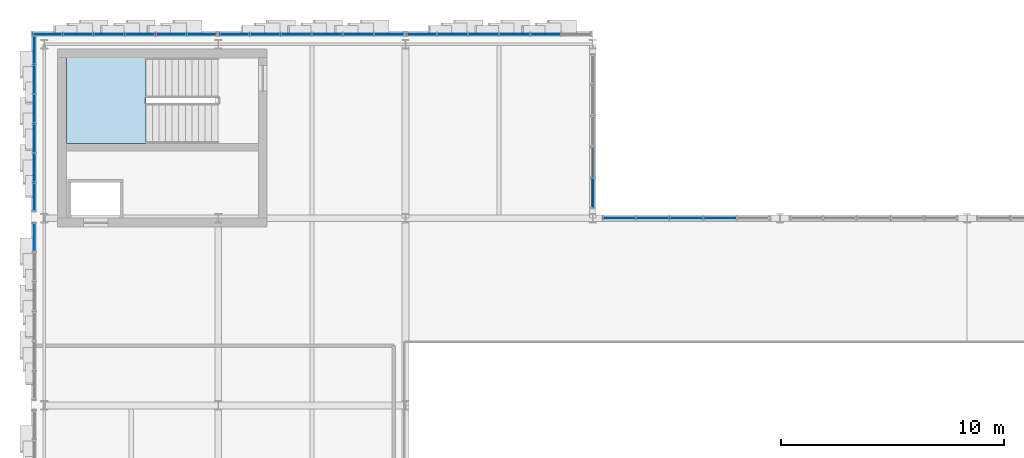
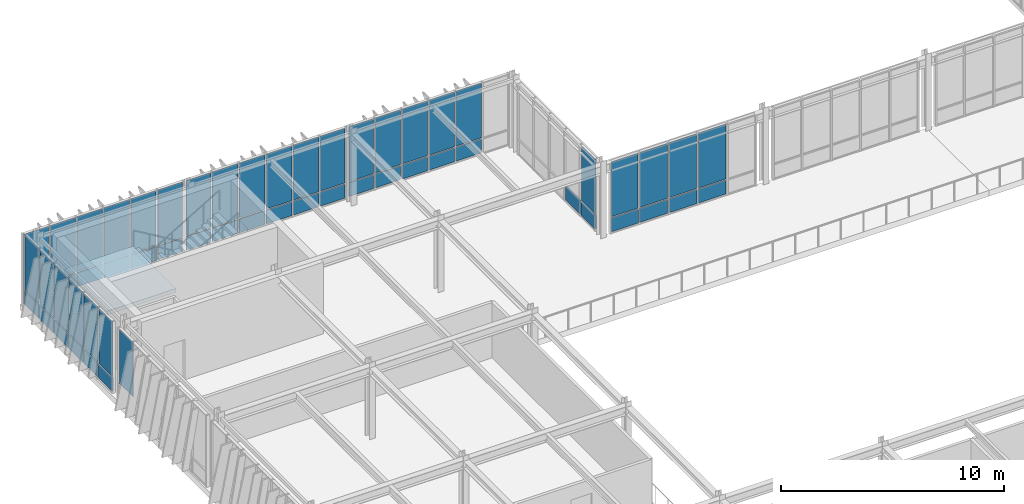
# One storey, part 88 of 127: 58 plates, 1 slab, 8 elements without a shape of their own.
"""IFC4 building model written with IfcOpenShell, lengths in metres."""

from ifc_helpers import new_model, si_unit, direction, frame, origin, origin_2d, place, context, subcontext, project, spatial, polyline, rectangle, outline, extrude, material, layer, layer_set, type_object, element, aggregate, save


model = new_model("IFC4")

# Units and contexts
model_context = context("Model", 3, precision=1e-05, world=origin(), true_north=direction((0.0, 1.0)))
body_context = subcontext(model_context, "Body", "Model", "MODEL_VIEW")
ifc_project = project(units=[si_unit("LENGTHUNIT", "METRE"), si_unit("AREAUNIT", "SQUARE_METRE"), si_unit("VOLUMEUNIT", "CUBIC_METRE"), si_unit("PLANEANGLEUNIT", "RADIAN"), si_unit("MASSUNIT", "GRAM", prefix="KILO")], contexts=[model_context])

# Site, building, storey
site_placement = place(None, origin())
site = spatial("IfcSite", under=ifc_project, at=site_placement, CompositionType="ELEMENT")
building_placement = place(site_placement, origin())
building = spatial("IfcBuilding", under=site, at=building_placement, Name="Zayran Congress Hotel", CompositionType="ELEMENT")
storey_placement = place(building_placement, frame((0.0, 0.0, 10.800048828125)))
storey = spatial("IfcBuildingStorey", under=building, at=storey_placement, Name="L02", CompositionType="ELEMENT", Elevation=10.800048828125)

# Curtain wall, plates
ifc_material_1 = material(Name="Anodised aluminium and low-E insulated glass", Category="aluminium")
ifc_layer_1 = layer(ifc_material_1, 0.179931640625)
ifc_layer_set_1 = layer_set([ifc_layer_1], Name="Anodised aluminium and low-E insulated glass")
curtain_wall_type_1 = type_object("IfcCurtainWallType", Name="CW-V1N-L02-CW-21-8360-3920", PredefinedType="USERDEFINED", material=ifc_layer_set_1)
curtain_wall_1_placement = place(storey_placement, origin())
curtain_wall_1 = element("IfcCurtainWall", 1, at=curtain_wall_1_placement, inside=storey, type_object=curtain_wall_type_1, Name="CW-V1N-L02-0", ObjectType="CURTAIN WALL", PredefinedType="USERDEFINED")
ifc_material_2 = material(Name="Insulated warm bronze aluminium spandrel panel", Category="aluminium")
ifc_layer_2 = layer(ifc_material_2, 0.06005859375)
ifc_layer_set_2 = layer_set([ifc_layer_2], Name="Insulated warm bronze aluminium spandrel panel")
plate_type_1 = type_object("IfcPlateType", Name="CWP-SP-1273-750", PredefinedType="CURTAIN_PANEL", material=ifc_layer_set_2)
plate_1_placement = place(storey_placement, frame((16.063232421875, 117.85009765625, 0.06005859375), z_axis=(0.0, 0.0, 1.0), x_axis=(1.0, 0.0, 0.0)))
plate_1 = element("IfcPlate", 2, at=plate_1_placement, type_object=plate_type_1, Name="CW-21 Spandrel Panel 1", PredefinedType="CURTAIN_PANEL", context=body_context, shape_type="SweptSolid", body=[
    extrude(rectangle(XDim=1.273193359375, YDim=0.06005859375, at=origin_2d()), origin(), (0.0, 0.0, 1.0), 0.75),
])
plate_2_placement = place(storey_placement, frame((14.68994140625, 117.85009765625, 0.06005859375), z_axis=(0.0, 0.0, 1.0), x_axis=(1.0, 0.0, 0.0)))
plate_2 = element("IfcPlate", 3, at=plate_2_placement, type_object=plate_type_1, Name="CW-21 Spandrel Panel 2", PredefinedType="CURTAIN_PANEL", context=body_context, shape_type="SweptSolid", body=[
    extrude(rectangle(XDim=1.313232421875, YDim=0.06005859375, at=origin_2d()), origin(), (0.0, 0.0, 1.0), 0.75),
])
plate_3_placement = place(storey_placement, frame((13.296630859375, 117.85009765625, 0.06005859375), z_axis=(0.0, 0.0, 1.0), x_axis=(1.0, 0.0, 0.0)))
plate_3 = element("IfcPlate", 4, at=plate_3_placement, type_object=plate_type_1, Name="CW-21 Spandrel Panel 3", PredefinedType="CURTAIN_PANEL", context=body_context, shape_type="SweptSolid", body=[
    extrude(rectangle(XDim=1.313232421875, YDim=0.06005859375, at=origin_2d()), origin(), (0.0, 0.0, 1.0), 0.75),
])
plate_4_placement = place(storey_placement, frame((11.9033203125, 117.85009765625, 0.06005859375), z_axis=(0.0, 0.0, 1.0), x_axis=(1.0, 0.0, 0.0)))
plate_4 = element("IfcPlate", 5, at=plate_4_placement, type_object=plate_type_1, Name="CW-21 Spandrel Panel 4", PredefinedType="CURTAIN_PANEL", context=body_context, shape_type="SweptSolid", body=[
    extrude(rectangle(XDim=1.313232421875, YDim=0.06005859375, at=origin_2d()), origin(), (0.0, 0.0, 1.0), 0.75),
])
plate_5_placement = place(storey_placement, frame((10.510009765625, 117.85009765625, 0.06005859375), z_axis=(0.0, 0.0, 1.0), x_axis=(1.0, 0.0, 0.0)))
plate_5 = element("IfcPlate", 6, at=plate_5_placement, type_object=plate_type_1, Name="CW-21 Spandrel Panel 5", PredefinedType="CURTAIN_PANEL", context=body_context, shape_type="SweptSolid", body=[
    extrude(rectangle(XDim=1.313232421875, YDim=0.06005859375, at=origin_2d()), origin(), (0.0, 0.0, 1.0), 0.75),
])
plate_6_placement = place(storey_placement, frame((9.13671875, 117.85009765625, 0.06005859375), z_axis=(0.0, 0.0, 1.0), x_axis=(1.0, 0.0, 0.0)))
plate_6 = element("IfcPlate", 7, at=plate_6_placement, type_object=plate_type_1, Name="CW-21 Spandrel Panel 6", PredefinedType="CURTAIN_PANEL", context=body_context, shape_type="SweptSolid", body=[
    extrude(rectangle(XDim=1.273193359375, YDim=0.06005859375, at=origin_2d()), origin(), (0.0, 0.0, 1.0), 0.75),
])

ifc_layer_3 = layer(ifc_material_1, 0.179931640625)
ifc_layer_set_3 = layer_set([ifc_layer_3], Name="Anodised aluminium and low-E insulated glass")
curtain_wall_type_2 = type_object("IfcCurtainWallType", Name="CW-V1N-L02-CW-22-8360-3920", PredefinedType="USERDEFINED", material=ifc_layer_set_3)
curtain_wall_2_placement = place(storey_placement, origin())
curtain_wall_2 = element("IfcCurtainWall", 8, at=curtain_wall_2_placement, inside=storey, type_object=curtain_wall_type_2, Name="CW-V1N-L02-1", ObjectType="CURTAIN WALL", PredefinedType="USERDEFINED")
plate_7_placement = place(storey_placement, frame((24.46337890625, 117.85009765625, 0.06005859375), z_axis=(0.0, 0.0, 1.0), x_axis=(1.0, 0.0, 0.0)))
plate_7 = element("IfcPlate", 9, at=plate_7_placement, type_object=plate_type_1, Name="CW-22 Spandrel Panel 1", PredefinedType="CURTAIN_PANEL", context=body_context, shape_type="SweptSolid", body=[
    extrude(rectangle(XDim=1.273193359375, YDim=0.06005859375, at=origin_2d()), origin(), (0.0, 0.0, 1.0), 0.75),
])
plate_8_placement = place(storey_placement, frame((23.090087890625, 117.85009765625, 0.06005859375), z_axis=(0.0, 0.0, 1.0), x_axis=(1.0, 0.0, 0.0)))
plate_8 = element("IfcPlate", 10, at=plate_8_placement, type_object=plate_type_1, Name="CW-22 Spandrel Panel 2", PredefinedType="CURTAIN_PANEL", context=body_context, shape_type="SweptSolid", body=[
    extrude(rectangle(XDim=1.313232421875, YDim=0.06005859375, at=origin_2d()), origin(), (0.0, 0.0, 1.0), 0.75),
])
plate_9_placement = place(storey_placement, frame((21.69677734375, 117.85009765625, 0.06005859375), z_axis=(0.0, 0.0, 1.0), x_axis=(1.0, 0.0, 0.0)))
plate_9 = element("IfcPlate", 11, at=plate_9_placement, type_object=plate_type_1, Name="CW-22 Spandrel Panel 3", PredefinedType="CURTAIN_PANEL", context=body_context, shape_type="SweptSolid", body=[
    extrude(rectangle(XDim=1.313232421875, YDim=0.06005859375, at=origin_2d()), origin(), (0.0, 0.0, 1.0), 0.75),
])
plate_10_placement = place(storey_placement, frame((20.30322265625, 117.85009765625, 0.06005859375), z_axis=(0.0, 0.0, 1.0), x_axis=(1.0, 0.0, 0.0)))
plate_10 = element("IfcPlate", 12, at=plate_10_placement, type_object=plate_type_1, Name="CW-22 Spandrel Panel 4", PredefinedType="CURTAIN_PANEL", context=body_context, shape_type="SweptSolid", body=[
    extrude(rectangle(XDim=1.313232421875, YDim=0.06005859375, at=origin_2d()), origin(), (0.0, 0.0, 1.0), 0.75),
])
plate_11_placement = place(storey_placement, frame((18.909912109375, 117.85009765625, 0.06005859375), z_axis=(0.0, 0.0, 1.0), x_axis=(1.0, 0.0, 0.0)))
plate_11 = element("IfcPlate", 13, at=plate_11_placement, type_object=plate_type_1, Name="CW-22 Spandrel Panel 5", PredefinedType="CURTAIN_PANEL", context=body_context, shape_type="SweptSolid", body=[
    extrude(rectangle(XDim=1.313232421875, YDim=0.06005859375, at=origin_2d()), origin(), (0.0, 0.0, 1.0), 0.75),
])
plate_12_placement = place(storey_placement, frame((17.53662109375, 117.85009765625, 0.06005859375), z_axis=(0.0, 0.0, 1.0), x_axis=(1.0, 0.0, 0.0)))
plate_12 = element("IfcPlate", 14, at=plate_12_placement, type_object=plate_type_1, Name="CW-22 Spandrel Panel 6", PredefinedType="CURTAIN_PANEL", context=body_context, shape_type="SweptSolid", body=[
    extrude(rectangle(XDim=1.273193359375, YDim=0.06005859375, at=origin_2d()), origin(), (0.0, 0.0, 1.0), 0.75),
])

ifc_layer_4 = layer(ifc_material_1, 0.179931640625)
ifc_layer_set_4 = layer_set([ifc_layer_4], Name="Anodised aluminium and low-E insulated glass")
curtain_wall_type_3 = type_object("IfcCurtainWallType", Name="CW-V1N-L02-CW-23-8360-3920", PredefinedType="USERDEFINED", material=ifc_layer_set_4)
curtain_wall_3_placement = place(storey_placement, origin())
curtain_wall_3 = element("IfcCurtainWall", 15, at=curtain_wall_3_placement, inside=storey, type_object=curtain_wall_type_3, Name="CW-V1N-L02-2", ObjectType="CURTAIN WALL", PredefinedType="USERDEFINED")
plate_13_placement = place(storey_placement, frame((31.489990234375, 117.85009765625, 0.06005859375), z_axis=(0.0, 0.0, 1.0), x_axis=(1.0, 0.0, 0.0)))
plate_13 = element("IfcPlate", 16, at=plate_13_placement, type_object=plate_type_1, Name="CW-23 Spandrel Panel 2", PredefinedType="CURTAIN_PANEL", context=body_context, shape_type="SweptSolid", body=[
    extrude(rectangle(XDim=1.313232421875, YDim=0.06005859375, at=origin_2d()), origin(), (0.0, 0.0, 1.0), 0.75),
])
plate_14_placement = place(storey_placement, frame((30.0966796875, 117.85009765625, 0.06005859375), z_axis=(0.0, 0.0, 1.0), x_axis=(1.0, 0.0, 0.0)))
plate_14 = element("IfcPlate", 17, at=plate_14_placement, type_object=plate_type_1, Name="CW-23 Spandrel Panel 3", PredefinedType="CURTAIN_PANEL", context=body_context, shape_type="SweptSolid", body=[
    extrude(rectangle(XDim=1.313232421875, YDim=0.06005859375, at=origin_2d()), origin(), (0.0, 0.0, 1.0), 0.75),
])
plate_15_placement = place(storey_placement, frame((28.703369140625, 117.85009765625, 0.06005859375), z_axis=(0.0, 0.0, 1.0), x_axis=(1.0, 0.0, 0.0)))
plate_15 = element("IfcPlate", 18, at=plate_15_placement, type_object=plate_type_1, Name="CW-23 Spandrel Panel 4", PredefinedType="CURTAIN_PANEL", context=body_context, shape_type="SweptSolid", body=[
    extrude(rectangle(XDim=1.313232421875, YDim=0.06005859375, at=origin_2d()), origin(), (0.0, 0.0, 1.0), 0.75),
])
plate_16_placement = place(storey_placement, frame((27.31005859375, 117.85009765625, 0.06005859375), z_axis=(0.0, 0.0, 1.0), x_axis=(1.0, 0.0, 0.0)))
plate_16 = element("IfcPlate", 19, at=plate_16_placement, type_object=plate_type_1, Name="CW-23 Spandrel Panel 5", PredefinedType="CURTAIN_PANEL", context=body_context, shape_type="SweptSolid", body=[
    extrude(rectangle(XDim=1.313232421875, YDim=0.06005859375, at=origin_2d()), origin(), (0.0, 0.0, 1.0), 0.75),
])
plate_17_placement = place(storey_placement, frame((25.936767578125, 117.85009765625, 0.06005859375), z_axis=(0.0, 0.0, 1.0), x_axis=(1.0, 0.0, 0.0)))
plate_17 = element("IfcPlate", 20, at=plate_17_placement, type_object=plate_type_1, Name="CW-23 Spandrel Panel 6", PredefinedType="CURTAIN_PANEL", context=body_context, shape_type="SweptSolid", body=[
    extrude(rectangle(XDim=1.273193359375, YDim=0.06005859375, at=origin_2d()), origin(), (0.0, 0.0, 1.0), 0.75),
])

ifc_layer_5 = layer(ifc_material_1, 0.179931640625)
ifc_layer_set_5 = layer_set([ifc_layer_5], Name="Anodised aluminium and low-E insulated glass")
curtain_wall_type_4 = type_object("IfcCurtainWallType", Name="CW-V1NW-L02-CW-24-6960-3920", PredefinedType="USERDEFINED", material=ifc_layer_set_5)
curtain_wall_4_placement = place(storey_placement, origin())
curtain_wall_4 = element("IfcCurtainWall", 21, at=curtain_wall_4_placement, inside=storey, type_object=curtain_wall_type_4, Name="CW-V1NW-L02", ObjectType="CURTAIN WALL", PredefinedType="USERDEFINED")
ifc_layer_6 = layer(ifc_material_2, 0.06005859375)
ifc_layer_set_6 = layer_set([ifc_layer_6], Name="Insulated warm bronze aluminium spandrel panel")
plate_type_2 = type_object("IfcPlateType", Name="CWP-SP-1272-750", PredefinedType="CURTAIN_PANEL", material=ifc_layer_set_6)
plate_18_placement = place(storey_placement, frame((33.60009765625, 110.736083984375, 0.06005859375), z_axis=(0.0, 0.0, 1.0), x_axis=(0.0, 1.0, 0.0)))
plate_18 = element("IfcPlate", 22, at=plate_18_placement, type_object=plate_type_2, Name="CW-24 Spandrel Panel 1", PredefinedType="CURTAIN_PANEL", context=body_context, shape_type="SweptSolid", body=[
    extrude(rectangle(XDim=1.27197265625, YDim=0.06005859375, at=origin_2d()), origin(), (0.0, 0.0, 1.0), 0.75),
])
plate_19_placement = place(storey_placement, frame((33.60009765625, 112.10791015625, 0.06005859375), z_axis=(0.0, 0.0, 1.0), x_axis=(0.0, 1.0, 0.0)))
plate_19 = element("IfcPlate", 23, at=plate_19_placement, type_object=plate_type_2, Name="CW-24 Spandrel Panel 2", PredefinedType="CURTAIN_PANEL", context=body_context, shape_type="SweptSolid", body=[
    extrude(rectangle(XDim=1.31201171875, YDim=0.06005859375, at=origin_2d()), origin(), (0.0, 0.0, 1.0), 0.75),
])

ifc_layer_7 = layer(ifc_material_1, 0.179931640625)
ifc_layer_set_7 = layer_set([ifc_layer_7], Name="Anodised aluminium and low-E insulated glass")
curtain_wall_type_5 = type_object("IfcCurtainWallType", Name="CW-V1W-L02-CW-32-7940-3920", PredefinedType="USERDEFINED", material=ifc_layer_set_7)
curtain_wall_5_placement = place(storey_placement, origin())
curtain_wall_5 = element("IfcCurtainWall", 24, at=curtain_wall_5_placement, inside=storey, type_object=curtain_wall_type_5, Name="CW-V1W-L02-5", ObjectType="CURTAIN WALL", PredefinedType="USERDEFINED")
ifc_layer_8 = layer(ifc_material_2, 0.06005859375)
ifc_layer_set_8 = layer_set([ifc_layer_8], Name="Insulated warm bronze aluminium spandrel panel")
plate_type_3 = type_object("IfcPlateType", Name="CWP-SP-1203-750", PredefinedType="CURTAIN_PANEL", material=ifc_layer_set_8)
plate_20_placement = place(storey_placement, frame((8.550048828125, 117.13818359375, 0.06005859375), z_axis=(0.0, 0.0, 1.0), x_axis=(0.0, 1.0, 0.0)))
plate_20 = element("IfcPlate", 25, at=plate_20_placement, type_object=plate_type_3, Name="CW-32 Spandrel Panel 1", PredefinedType="CURTAIN_PANEL", context=body_context, shape_type="SweptSolid", body=[
    extrude(rectangle(XDim=1.203369140625, YDim=0.06005859375, at=origin_2d()), origin(), (0.0, 0.0, 1.0), 0.75),
])
plate_21_placement = place(storey_placement, frame((8.550048828125, 115.8349609375, 0.06005859375), z_axis=(0.0, 0.0, 1.0), x_axis=(0.0, 1.0, 0.0)))
plate_21 = element("IfcPlate", 26, at=plate_21_placement, type_object=plate_type_3, Name="CW-32 Spandrel Panel 2", PredefinedType="CURTAIN_PANEL", context=body_context, shape_type="SweptSolid", body=[
    extrude(rectangle(XDim=1.243408203125, YDim=0.06005859375, at=origin_2d()), origin(), (0.0, 0.0, 1.0), 0.75),
])
plate_22_placement = place(storey_placement, frame((8.550048828125, 114.51171875, 0.06005859375), z_axis=(0.0, 0.0, 1.0), x_axis=(0.0, 1.0, 0.0)))
plate_22 = element("IfcPlate", 27, at=plate_22_placement, type_object=plate_type_3, Name="CW-32 Spandrel Panel 3", PredefinedType="CURTAIN_PANEL", context=body_context, shape_type="SweptSolid", body=[
    extrude(rectangle(XDim=1.243408203125, YDim=0.06005859375, at=origin_2d()), origin(), (0.0, 0.0, 1.0), 0.75),
])
plate_23_placement = place(storey_placement, frame((8.550048828125, 113.188232421875, 0.06005859375), z_axis=(0.0, 0.0, 1.0), x_axis=(0.0, 1.0, 0.0)))
plate_23 = element("IfcPlate", 28, at=plate_23_placement, type_object=plate_type_3, Name="CW-32 Spandrel Panel 4", PredefinedType="CURTAIN_PANEL", context=body_context, shape_type="SweptSolid", body=[
    extrude(rectangle(XDim=1.243408203125, YDim=0.06005859375, at=origin_2d()), origin(), (0.0, 0.0, 1.0), 0.75),
])
plate_24_placement = place(storey_placement, frame((8.550048828125, 111.864990234375, 0.06005859375), z_axis=(0.0, 0.0, 1.0), x_axis=(0.0, 1.0, 0.0)))
plate_24 = element("IfcPlate", 29, at=plate_24_placement, type_object=plate_type_3, Name="CW-32 Spandrel Panel 5", PredefinedType="CURTAIN_PANEL", context=body_context, shape_type="SweptSolid", body=[
    extrude(rectangle(XDim=1.243408203125, YDim=0.06005859375, at=origin_2d()), origin(), (0.0, 0.0, 1.0), 0.75),
])
plate_25_placement = place(storey_placement, frame((8.550048828125, 110.561767578125, 0.06005859375), z_axis=(0.0, 0.0, 1.0), x_axis=(0.0, 1.0, 0.0)))
plate_25 = element("IfcPlate", 30, at=plate_25_placement, type_object=plate_type_3, Name="CW-32 Spandrel Panel 6", PredefinedType="CURTAIN_PANEL", context=body_context, shape_type="SweptSolid", body=[
    extrude(rectangle(XDim=1.203369140625, YDim=0.06005859375, at=origin_2d()), origin(), (0.0, 0.0, 1.0), 0.75),
])

ifc_layer_9 = layer(ifc_material_1, 0.179931640625)
ifc_layer_set_9 = layer_set([ifc_layer_9], Name="Anodised aluminium and low-E insulated glass")
curtain_wall_type_6 = type_object("IfcCurtainWallType", Name="CW-V1NF-L02-CW-21-7560-3920", PredefinedType="USERDEFINED", material=ifc_layer_set_9)
curtain_wall_6_placement = place(storey_placement, origin())
curtain_wall_6 = element("IfcCurtainWall", 31, at=curtain_wall_6_placement, inside=storey, type_object=curtain_wall_type_6, Name="CW-V1NF-L02-3", ObjectType="CURTAIN WALL", PredefinedType="USERDEFINED")
ifc_layer_10 = layer(ifc_material_2, 0.06005859375)
ifc_layer_set_10 = layer_set([ifc_layer_10], Name="Insulated warm bronze aluminium spandrel panel")
plate_type_4 = type_object("IfcPlateType", Name="CWP-SP-1392-750", PredefinedType="CURTAIN_PANEL", material=ifc_layer_set_10)
plate_26_placement = place(storey_placement, frame((39.31201171875, 109.60009765625, 0.06005859375), z_axis=(0.0, 0.0, 1.0), x_axis=(1.0, 0.0, 0.0)))
plate_26 = element("IfcPlate", 32, at=plate_26_placement, type_object=plate_type_4, Name="CW-21 Spandrel Panel 2", PredefinedType="CURTAIN_PANEL", context=body_context, shape_type="SweptSolid", body=[
    extrude(rectangle(XDim=1.431884765625, YDim=0.06005859375, at=origin_2d()), origin(), (0.0, 0.0, 1.0), 0.75),
])
plate_27_placement = place(storey_placement, frame((37.800048828125, 109.60009765625, 0.06005859375), z_axis=(0.0, 0.0, 1.0), x_axis=(1.0, 0.0, 0.0)))
plate_27 = element("IfcPlate", 33, at=plate_27_placement, type_object=plate_type_4, Name="CW-21 Spandrel Panel 3", PredefinedType="CURTAIN_PANEL", context=body_context, shape_type="SweptSolid", body=[
    extrude(rectangle(XDim=1.431884765625, YDim=0.06005859375, at=origin_2d()), origin(), (0.0, 0.0, 1.0), 0.75),
])
plate_28_placement = place(storey_placement, frame((36.2880859375, 109.60009765625, 0.06005859375), z_axis=(0.0, 0.0, 1.0), x_axis=(1.0, 0.0, 0.0)))
plate_28 = element("IfcPlate", 34, at=plate_28_placement, type_object=plate_type_4, Name="CW-21 Spandrel Panel 4", PredefinedType="CURTAIN_PANEL", context=body_context, shape_type="SweptSolid", body=[
    extrude(rectangle(XDim=1.431884765625, YDim=0.06005859375, at=origin_2d()), origin(), (0.0, 0.0, 1.0), 0.75),
])
plate_29_placement = place(storey_placement, frame((34.7958984375, 109.60009765625, 0.06005859375), z_axis=(0.0, 0.0, 1.0), x_axis=(1.0, 0.0, 0.0)))
plate_29 = element("IfcPlate", 35, at=plate_29_placement, type_object=plate_type_4, Name="CW-21 Spandrel Panel 5", PredefinedType="CURTAIN_PANEL", context=body_context, shape_type="SweptSolid", body=[
    extrude(rectangle(XDim=1.39208984375, YDim=0.06005859375, at=origin_2d()), origin(), (0.0, 0.0, 1.0), 0.75),
])

# Plate
ifc_layer_11 = layer(ifc_material_1, 0.028076171875)
ifc_layer_set_11 = layer_set([ifc_layer_11], Name="Anodised aluminium and low-E insulated glass")
plate_type_5 = type_object("IfcPlateType", Name="CWP-GL-1273-2990", PredefinedType="CURTAIN_PANEL", material=ifc_layer_set_11)
plate_30_placement = place(storey_placement, frame((16.063232421875, 117.85009765625, 0.8701171875), z_axis=(0.0, 0.0, 1.0), x_axis=(1.0, 0.0, 0.0)))
plate_30 = element("IfcPlate", 36, at=plate_30_placement, type_object=plate_type_5, Name="CW-21 Glazed Panel 1", PredefinedType="CURTAIN_PANEL", context=body_context, shape_type="SweptSolid", body=[
    extrude(rectangle(XDim=1.273193359375, YDim=0.028076171875, at=origin_2d()), origin(), (0.0, 0.0, 1.0), 2.989990234375),
])

plate_31_placement = place(storey_placement, frame((14.68994140625, 117.85009765625, 0.8701171875), z_axis=(0.0, 0.0, 1.0), x_axis=(1.0, 0.0, 0.0)))
plate_31 = element("IfcPlate", 37, at=plate_31_placement, type_object=plate_type_5, Name="CW-21 Glazed Panel 2", PredefinedType="CURTAIN_PANEL", context=body_context, shape_type="SweptSolid", body=[
    extrude(rectangle(XDim=1.313232421875, YDim=0.028076171875, at=origin_2d()), origin(), (0.0, 0.0, 1.0), 2.989990234375),
])

plate_32_placement = place(storey_placement, frame((13.296630859375, 117.85009765625, 0.8701171875), z_axis=(0.0, 0.0, 1.0), x_axis=(1.0, 0.0, 0.0)))
plate_32 = element("IfcPlate", 38, at=plate_32_placement, type_object=plate_type_5, Name="CW-21 Glazed Panel 3", PredefinedType="CURTAIN_PANEL", context=body_context, shape_type="SweptSolid", body=[
    extrude(rectangle(XDim=1.313232421875, YDim=0.028076171875, at=origin_2d()), origin(), (0.0, 0.0, 1.0), 2.989990234375),
])

plate_33_placement = place(storey_placement, frame((11.9033203125, 117.85009765625, 0.8701171875), z_axis=(0.0, 0.0, 1.0), x_axis=(1.0, 0.0, 0.0)))
plate_33 = element("IfcPlate", 39, at=plate_33_placement, type_object=plate_type_5, Name="CW-21 Glazed Panel 4", PredefinedType="CURTAIN_PANEL", context=body_context, shape_type="SweptSolid", body=[
    extrude(rectangle(XDim=1.313232421875, YDim=0.028076171875, at=origin_2d()), origin(), (0.0, 0.0, 1.0), 2.989990234375),
])

plate_34_placement = place(storey_placement, frame((10.510009765625, 117.85009765625, 0.8701171875), z_axis=(0.0, 0.0, 1.0), x_axis=(1.0, 0.0, 0.0)))
plate_34 = element("IfcPlate", 40, at=plate_34_placement, type_object=plate_type_5, Name="CW-21 Glazed Panel 5", PredefinedType="CURTAIN_PANEL", context=body_context, shape_type="SweptSolid", body=[
    extrude(rectangle(XDim=1.313232421875, YDim=0.028076171875, at=origin_2d()), origin(), (0.0, 0.0, 1.0), 2.989990234375),
])

plate_35_placement = place(storey_placement, frame((9.13671875, 117.85009765625, 0.8701171875), z_axis=(0.0, 0.0, 1.0), x_axis=(1.0, 0.0, 0.0)))
plate_35 = element("IfcPlate", 41, at=plate_35_placement, type_object=plate_type_5, Name="CW-21 Glazed Panel 6", PredefinedType="CURTAIN_PANEL", context=body_context, shape_type="SweptSolid", body=[
    extrude(rectangle(XDim=1.273193359375, YDim=0.028076171875, at=origin_2d()), origin(), (0.0, 0.0, 1.0), 2.989990234375),
])

aggregate(curtain_wall_1, [plate_1, plate_30, plate_2, plate_31, plate_3, plate_32, plate_4, plate_33, plate_5, plate_34, plate_6, plate_35])

plate_36_placement = place(storey_placement, frame((24.46337890625, 117.85009765625, 0.8701171875), z_axis=(0.0, 0.0, 1.0), x_axis=(1.0, 0.0, 0.0)))
plate_36 = element("IfcPlate", 42, at=plate_36_placement, type_object=plate_type_5, Name="CW-22 Glazed Panel 1", PredefinedType="CURTAIN_PANEL", context=body_context, shape_type="SweptSolid", body=[
    extrude(rectangle(XDim=1.273193359375, YDim=0.028076171875, at=origin_2d()), origin(), (0.0, 0.0, 1.0), 2.989990234375),
])

plate_37_placement = place(storey_placement, frame((23.090087890625, 117.85009765625, 0.8701171875), z_axis=(0.0, 0.0, 1.0), x_axis=(1.0, 0.0, 0.0)))
plate_37 = element("IfcPlate", 43, at=plate_37_placement, type_object=plate_type_5, Name="CW-22 Glazed Panel 2", PredefinedType="CURTAIN_PANEL", context=body_context, shape_type="SweptSolid", body=[
    extrude(rectangle(XDim=1.313232421875, YDim=0.028076171875, at=origin_2d()), origin(), (0.0, 0.0, 1.0), 2.989990234375),
])

plate_38_placement = place(storey_placement, frame((21.69677734375, 117.85009765625, 0.8701171875), z_axis=(0.0, 0.0, 1.0), x_axis=(1.0, 0.0, 0.0)))
plate_38 = element("IfcPlate", 44, at=plate_38_placement, type_object=plate_type_5, Name="CW-22 Glazed Panel 3", PredefinedType="CURTAIN_PANEL", context=body_context, shape_type="SweptSolid", body=[
    extrude(rectangle(XDim=1.313232421875, YDim=0.028076171875, at=origin_2d()), origin(), (0.0, 0.0, 1.0), 2.989990234375),
])

plate_39_placement = place(storey_placement, frame((20.30322265625, 117.85009765625, 0.8701171875), z_axis=(0.0, 0.0, 1.0), x_axis=(1.0, 0.0, 0.0)))
plate_39 = element("IfcPlate", 45, at=plate_39_placement, type_object=plate_type_5, Name="CW-22 Glazed Panel 4", PredefinedType="CURTAIN_PANEL", context=body_context, shape_type="SweptSolid", body=[
    extrude(rectangle(XDim=1.313232421875, YDim=0.028076171875, at=origin_2d()), origin(), (0.0, 0.0, 1.0), 2.989990234375),
])

plate_40_placement = place(storey_placement, frame((18.909912109375, 117.85009765625, 0.8701171875), z_axis=(0.0, 0.0, 1.0), x_axis=(1.0, 0.0, 0.0)))
plate_40 = element("IfcPlate", 46, at=plate_40_placement, type_object=plate_type_5, Name="CW-22 Glazed Panel 5", PredefinedType="CURTAIN_PANEL", context=body_context, shape_type="SweptSolid", body=[
    extrude(rectangle(XDim=1.313232421875, YDim=0.028076171875, at=origin_2d()), origin(), (0.0, 0.0, 1.0), 2.989990234375),
])

plate_41_placement = place(storey_placement, frame((17.53662109375, 117.85009765625, 0.8701171875), z_axis=(0.0, 0.0, 1.0), x_axis=(1.0, 0.0, 0.0)))
plate_41 = element("IfcPlate", 47, at=plate_41_placement, type_object=plate_type_5, Name="CW-22 Glazed Panel 6", PredefinedType="CURTAIN_PANEL", context=body_context, shape_type="SweptSolid", body=[
    extrude(rectangle(XDim=1.273193359375, YDim=0.028076171875, at=origin_2d()), origin(), (0.0, 0.0, 1.0), 2.989990234375),
])

aggregate(curtain_wall_2, [plate_7, plate_36, plate_8, plate_37, plate_9, plate_38, plate_10, plate_39, plate_11, plate_40, plate_12, plate_41])

plate_42_placement = place(storey_placement, frame((31.489990234375, 117.85009765625, 0.8701171875), z_axis=(0.0, 0.0, 1.0), x_axis=(1.0, 0.0, 0.0)))
plate_42 = element("IfcPlate", 48, at=plate_42_placement, type_object=plate_type_5, Name="CW-23 Glazed Panel 2", PredefinedType="CURTAIN_PANEL", context=body_context, shape_type="SweptSolid", body=[
    extrude(rectangle(XDim=1.313232421875, YDim=0.028076171875, at=origin_2d()), origin(), (0.0, 0.0, 1.0), 2.989990234375),
])

plate_43_placement = place(storey_placement, frame((30.0966796875, 117.85009765625, 0.8701171875), z_axis=(0.0, 0.0, 1.0), x_axis=(1.0, 0.0, 0.0)))
plate_43 = element("IfcPlate", 49, at=plate_43_placement, type_object=plate_type_5, Name="CW-23 Glazed Panel 3", PredefinedType="CURTAIN_PANEL", context=body_context, shape_type="SweptSolid", body=[
    extrude(rectangle(XDim=1.313232421875, YDim=0.028076171875, at=origin_2d()), origin(), (0.0, 0.0, 1.0), 2.989990234375),
])

plate_44_placement = place(storey_placement, frame((28.703369140625, 117.85009765625, 0.8701171875), z_axis=(0.0, 0.0, 1.0), x_axis=(1.0, 0.0, 0.0)))
plate_44 = element("IfcPlate", 50, at=plate_44_placement, type_object=plate_type_5, Name="CW-23 Glazed Panel 4", PredefinedType="CURTAIN_PANEL", context=body_context, shape_type="SweptSolid", body=[
    extrude(rectangle(XDim=1.313232421875, YDim=0.028076171875, at=origin_2d()), origin(), (0.0, 0.0, 1.0), 2.989990234375),
])

plate_45_placement = place(storey_placement, frame((27.31005859375, 117.85009765625, 0.8701171875), z_axis=(0.0, 0.0, 1.0), x_axis=(1.0, 0.0, 0.0)))
plate_45 = element("IfcPlate", 51, at=plate_45_placement, type_object=plate_type_5, Name="CW-23 Glazed Panel 5", PredefinedType="CURTAIN_PANEL", context=body_context, shape_type="SweptSolid", body=[
    extrude(rectangle(XDim=1.313232421875, YDim=0.028076171875, at=origin_2d()), origin(), (0.0, 0.0, 1.0), 2.989990234375),
])

plate_46_placement = place(storey_placement, frame((25.936767578125, 117.85009765625, 0.8701171875), z_axis=(0.0, 0.0, 1.0), x_axis=(1.0, 0.0, 0.0)))
plate_46 = element("IfcPlate", 52, at=plate_46_placement, type_object=plate_type_5, Name="CW-23 Glazed Panel 6", PredefinedType="CURTAIN_PANEL", context=body_context, shape_type="SweptSolid", body=[
    extrude(rectangle(XDim=1.273193359375, YDim=0.028076171875, at=origin_2d()), origin(), (0.0, 0.0, 1.0), 2.989990234375),
])

aggregate(curtain_wall_3, [plate_13, plate_42, plate_14, plate_43, plate_15, plate_44, plate_16, plate_45, plate_17, plate_46])

ifc_layer_12 = layer(ifc_material_1, 0.028076171875)
ifc_layer_set_12 = layer_set([ifc_layer_12], Name="Anodised aluminium and low-E insulated glass")
plate_type_6 = type_object("IfcPlateType", Name="CWP-GL-1392-2990", PredefinedType="CURTAIN_PANEL", material=ifc_layer_set_12)
plate_47_placement = place(storey_placement, frame((39.31201171875, 109.60009765625, 0.8701171875), z_axis=(0.0, 0.0, 1.0), x_axis=(1.0, 0.0, 0.0)))
plate_47 = element("IfcPlate", 53, at=plate_47_placement, type_object=plate_type_6, Name="CW-21 Glazed Panel 2", PredefinedType="CURTAIN_PANEL", context=body_context, shape_type="SweptSolid", body=[
    extrude(rectangle(XDim=1.431884765625, YDim=0.028076171875, at=origin_2d()), origin(), (0.0, 0.0, 1.0), 2.989990234375),
])

plate_48_placement = place(storey_placement, frame((37.800048828125, 109.60009765625, 0.8701171875), z_axis=(0.0, 0.0, 1.0), x_axis=(1.0, 0.0, 0.0)))
plate_48 = element("IfcPlate", 54, at=plate_48_placement, type_object=plate_type_6, Name="CW-21 Glazed Panel 3", PredefinedType="CURTAIN_PANEL", context=body_context, shape_type="SweptSolid", body=[
    extrude(rectangle(XDim=1.431884765625, YDim=0.028076171875, at=origin_2d()), origin(), (0.0, 0.0, 1.0), 2.989990234375),
])

plate_49_placement = place(storey_placement, frame((36.2880859375, 109.60009765625, 0.8701171875), z_axis=(0.0, 0.0, 1.0), x_axis=(1.0, 0.0, 0.0)))
plate_49 = element("IfcPlate", 55, at=plate_49_placement, type_object=plate_type_6, Name="CW-21 Glazed Panel 4", PredefinedType="CURTAIN_PANEL", context=body_context, shape_type="SweptSolid", body=[
    extrude(rectangle(XDim=1.431884765625, YDim=0.028076171875, at=origin_2d()), origin(), (0.0, 0.0, 1.0), 2.989990234375),
])

plate_50_placement = place(storey_placement, frame((34.7958984375, 109.60009765625, 0.8701171875), z_axis=(0.0, 0.0, 1.0), x_axis=(1.0, 0.0, 0.0)))
plate_50 = element("IfcPlate", 56, at=plate_50_placement, type_object=plate_type_6, Name="CW-21 Glazed Panel 5", PredefinedType="CURTAIN_PANEL", context=body_context, shape_type="SweptSolid", body=[
    extrude(rectangle(XDim=1.39208984375, YDim=0.028076171875, at=origin_2d()), origin(), (0.0, 0.0, 1.0), 2.989990234375),
])

aggregate(curtain_wall_6, [plate_26, plate_47, plate_27, plate_48, plate_28, plate_49, plate_29, plate_50])

ifc_layer_13 = layer(ifc_material_1, 0.028076171875)
ifc_layer_set_13 = layer_set([ifc_layer_13], Name="Anodised aluminium and low-E insulated glass")
plate_type_7 = type_object("IfcPlateType", Name="CWP-GL-1272-2990", PredefinedType="CURTAIN_PANEL", material=ifc_layer_set_13)
plate_51_placement = place(storey_placement, frame((33.60009765625, 110.736083984375, 0.8701171875), z_axis=(0.0, 0.0, 1.0), x_axis=(0.0, 1.0, 0.0)))
plate_51 = element("IfcPlate", 57, at=plate_51_placement, type_object=plate_type_7, Name="CW-24 Glazed Panel 1", PredefinedType="CURTAIN_PANEL", context=body_context, shape_type="SweptSolid", body=[
    extrude(rectangle(XDim=1.27197265625, YDim=0.028076171875, at=origin_2d()), origin(), (0.0, 0.0, 1.0), 2.989990234375),
])

aggregate(curtain_wall_4, [plate_18, plate_51, plate_19])

# Curtain wall, plate
ifc_layer_14 = layer(ifc_material_1, 0.179931640625)
ifc_layer_set_14 = layer_set([ifc_layer_14], Name="Anodised aluminium and low-E insulated glass")
curtain_wall_type_7 = type_object("IfcCurtainWallType", Name="CW-V1W-L02-CW-31-7990-3920", PredefinedType="USERDEFINED", material=ifc_layer_set_14)
curtain_wall_7_placement = place(storey_placement, origin())
curtain_wall_7 = element("IfcCurtainWall", 58, at=curtain_wall_7_placement, inside=storey, type_object=curtain_wall_type_7, Name="CW-V1W-L02-4", ObjectType="CURTAIN WALL", PredefinedType="USERDEFINED")
ifc_layer_15 = layer(ifc_material_1, 0.028076171875)
ifc_layer_set_15 = layer_set([ifc_layer_15], Name="Anodised aluminium and low-E insulated glass")
plate_type_8 = type_object("IfcPlateType", Name="CWP-GL-1212-2990", PredefinedType="CURTAIN_PANEL", material=ifc_layer_set_15)
plate_52_placement = place(storey_placement, frame((8.550048828125, 108.734130859375, 0.8701171875), z_axis=(0.0, 0.0, 1.0), x_axis=(0.0, 1.0, 0.0)))
plate_52 = element("IfcPlate", 59, at=plate_52_placement, type_object=plate_type_8, Name="CW-31 Glazed Panel 1", PredefinedType="CURTAIN_PANEL", context=body_context, shape_type="SweptSolid", body=[
    extrude(rectangle(XDim=1.211669921875, YDim=0.028076171875, at=origin_2d()), origin(), (0.0, 0.0, 1.0), 2.989990234375),
])
aggregate(curtain_wall_7, [plate_52])

# Plate
ifc_layer_16 = layer(ifc_material_1, 0.028076171875)
ifc_layer_set_16 = layer_set([ifc_layer_16], Name="Anodised aluminium and low-E insulated glass")
plate_type_9 = type_object("IfcPlateType", Name="CWP-GL-1203-2990", PredefinedType="CURTAIN_PANEL", material=ifc_layer_set_16)
plate_53_placement = place(storey_placement, frame((8.550048828125, 117.13818359375, 0.8701171875), z_axis=(0.0, 0.0, 1.0), x_axis=(0.0, 1.0, 0.0)))
plate_53 = element("IfcPlate", 60, at=plate_53_placement, type_object=plate_type_9, Name="CW-32 Glazed Panel 1", PredefinedType="CURTAIN_PANEL", context=body_context, shape_type="SweptSolid", body=[
    extrude(rectangle(XDim=1.203369140625, YDim=0.028076171875, at=origin_2d()), origin(), (0.0, 0.0, 1.0), 2.989990234375),
])

plate_54_placement = place(storey_placement, frame((8.550048828125, 115.8349609375, 0.8701171875), z_axis=(0.0, 0.0, 1.0), x_axis=(0.0, 1.0, 0.0)))
plate_54 = element("IfcPlate", 61, at=plate_54_placement, type_object=plate_type_9, Name="CW-32 Glazed Panel 2", PredefinedType="CURTAIN_PANEL", context=body_context, shape_type="SweptSolid", body=[
    extrude(rectangle(XDim=1.243408203125, YDim=0.028076171875, at=origin_2d()), origin(), (0.0, 0.0, 1.0), 2.989990234375),
])

plate_55_placement = place(storey_placement, frame((8.550048828125, 114.51171875, 0.8701171875), z_axis=(0.0, 0.0, 1.0), x_axis=(0.0, 1.0, 0.0)))
plate_55 = element("IfcPlate", 62, at=plate_55_placement, type_object=plate_type_9, Name="CW-32 Glazed Panel 3", PredefinedType="CURTAIN_PANEL", context=body_context, shape_type="SweptSolid", body=[
    extrude(rectangle(XDim=1.243408203125, YDim=0.028076171875, at=origin_2d()), origin(), (0.0, 0.0, 1.0), 2.989990234375),
])

plate_56_placement = place(storey_placement, frame((8.550048828125, 113.188232421875, 0.8701171875), z_axis=(0.0, 0.0, 1.0), x_axis=(0.0, 1.0, 0.0)))
plate_56 = element("IfcPlate", 63, at=plate_56_placement, type_object=plate_type_9, Name="CW-32 Glazed Panel 4", PredefinedType="CURTAIN_PANEL", context=body_context, shape_type="SweptSolid", body=[
    extrude(rectangle(XDim=1.243408203125, YDim=0.028076171875, at=origin_2d()), origin(), (0.0, 0.0, 1.0), 2.989990234375),
])

plate_57_placement = place(storey_placement, frame((8.550048828125, 111.864990234375, 0.8701171875), z_axis=(0.0, 0.0, 1.0), x_axis=(0.0, 1.0, 0.0)))
plate_57 = element("IfcPlate", 64, at=plate_57_placement, type_object=plate_type_9, Name="CW-32 Glazed Panel 5", PredefinedType="CURTAIN_PANEL", context=body_context, shape_type="SweptSolid", body=[
    extrude(rectangle(XDim=1.243408203125, YDim=0.028076171875, at=origin_2d()), origin(), (0.0, 0.0, 1.0), 2.989990234375),
])

plate_58_placement = place(storey_placement, frame((8.550048828125, 110.561767578125, 0.8701171875), z_axis=(0.0, 0.0, 1.0), x_axis=(0.0, 1.0, 0.0)))
plate_58 = element("IfcPlate", 65, at=plate_58_placement, type_object=plate_type_9, Name="CW-32 Glazed Panel 6", PredefinedType="CURTAIN_PANEL", context=body_context, shape_type="SweptSolid", body=[
    extrude(rectangle(XDim=1.203369140625, YDim=0.028076171875, at=origin_2d()), origin(), (0.0, 0.0, 1.0), 2.989990234375),
])

aggregate(curtain_wall_5, [plate_20, plate_53, plate_21, plate_54, plate_22, plate_55, plate_23, plate_56, plate_24, plate_57, plate_25, plate_58])

# Stair, slab
ifc_material_3 = material(Name="Concrete C32/40", Category="concrete")
stair_type = type_object("IfcStairType", Name="TP-STR-1800-42", PredefinedType="USERDEFINED", material=ifc_material_3)
stair_placement = place(storey_placement, origin())
stair = element("IfcStair", 66, at=stair_placement, inside=storey, type_object=stair_type, Name="L02 ST-03", ObjectType="TWO_RETURN_STAIR", PredefinedType="USERDEFINED")
ifc_layer_17 = layer(ifc_material_3, 0.199951171875)
ifc_layer_set_17 = layer_set([ifc_layer_17], Name="Concrete C32/40")
slab_type = type_object("IfcSlabType", Name="TP-LND-1800", PredefinedType="LANDING", material=ifc_layer_set_17)
slab_placement = place(storey_placement, frame((0.0, 0.0, 1.89990234375)))
slab = element("IfcSlab", 67, at=slab_placement, type_object=slab_type, Name="ST-03 landing 1", PredefinedType="LANDING", context=body_context, shape_type="SweptSolid", body=[
    extrude(outline(polyline([(13.554931640625, 116.800048828125), (10.0, 116.800048828125), (10.0, 112.9599609375), (13.554931640625, 112.9599609375), (13.554931640625, 116.800048828125)])), origin(), (0.0, 0.0, 1.0), 0.199951171875),
])
aggregate(stair, [slab])

save(model, "model.ifc")
